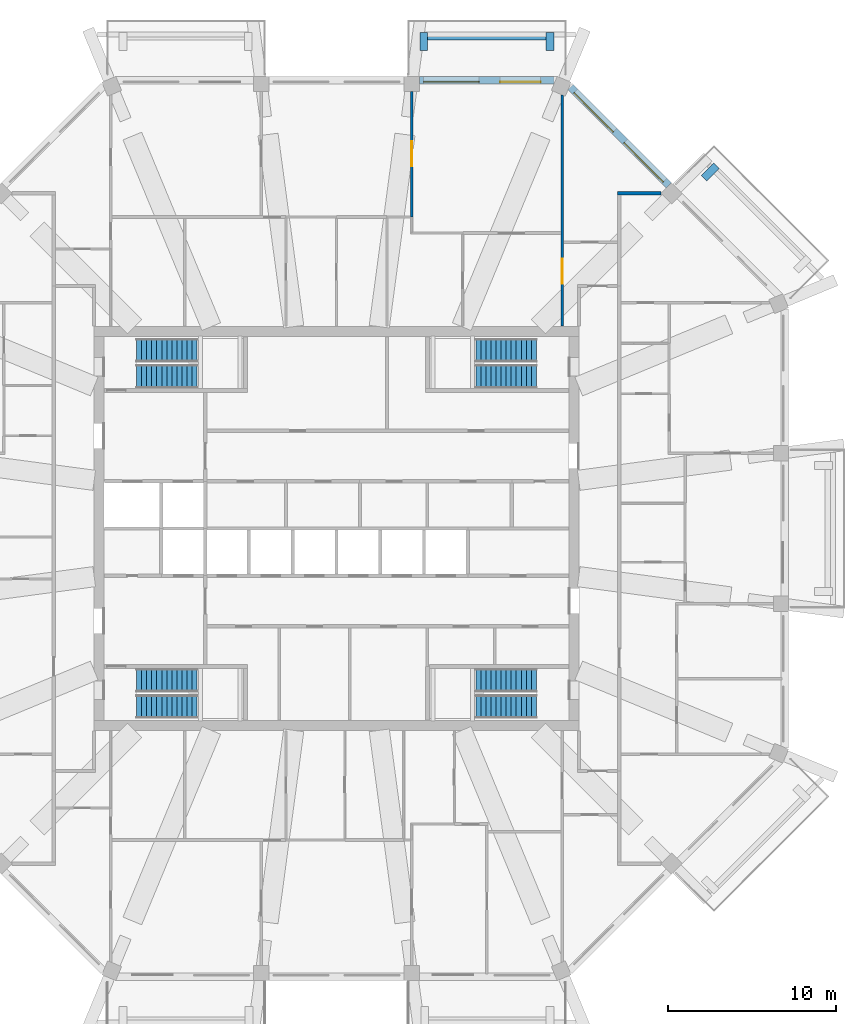
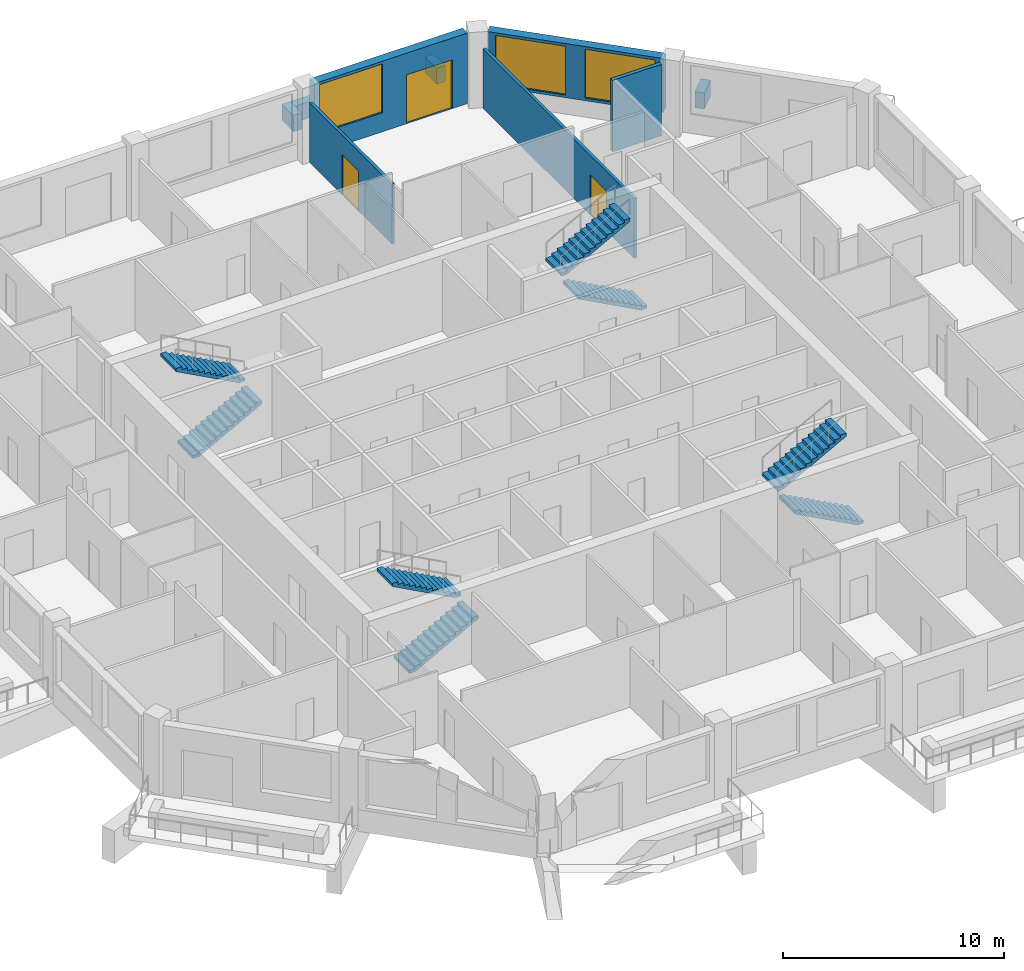
# One storey, part 10 of 12: 9 walls, 8 stair flights, 3 doors, 3 windows, 6 openings, 4 elements without a shape of their own.
"""IFC4 building model written with IfcOpenShell, lengths in metres."""

from ifc_helpers import new_model, si_unit, direction, frame, frame_2d, origin, place, context, subcontext, project, spatial, polyline, rectangle, outline, extrude, material, layer, layer_set, type_object, element, fill, aggregate, save


model = new_model("IFC4")

# Units and contexts
model_context = context("Model", 3, precision=1e-05, world=origin(), true_north=direction((0.0, 1.0)))
body_context = subcontext(model_context, "Body", "Model", "MODEL_VIEW")
ifc_project = project(units=[si_unit("LENGTHUNIT", "METRE"), si_unit("AREAUNIT", "SQUARE_METRE"), si_unit("VOLUMEUNIT", "CUBIC_METRE"), si_unit("PLANEANGLEUNIT", "RADIAN"), si_unit("MASSUNIT", "GRAM", prefix="KILO")], contexts=[model_context])

# Site, building, storey
site_placement = place(None, origin())
site = spatial("IfcSite", under=ifc_project, at=site_placement, CompositionType="ELEMENT")
building_placement = place(site_placement, origin())
building = spatial("IfcBuilding", under=site, at=building_placement, Name="Msitu Wima Residences", CompositionType="ELEMENT")
storey_placement = place(building_placement, frame((0.0, 0.0, 213.89990234375)))
storey = spatial("IfcBuildingStorey", under=building, at=storey_placement, Name="L49", CompositionType="ELEMENT", Elevation=213.89990234375)

# Walls
ifc_material_1 = material(Name="Facing brick")
ifc_layer_1 = layer(ifc_material_1, 0.06494140625, Name="Facing brick")
ifc_material_2 = material(Name="Concrete C40/50", Category="concrete")
ifc_layer_2 = layer(ifc_material_2, 0.156005859375, Name="Concrete C40/50")
ifc_material_3 = material(Name="Waterproofing membrane")
ifc_layer_3 = layer(ifc_material_3, 0.00390625, Name="Waterproofing membrane")
ifc_material_4 = material(Name="Planting soil and planting")
ifc_layer_4 = layer(ifc_material_4, 0.22509765625, Name="Planting soil and planting")
ifc_layer_set_1 = layer_set([ifc_layer_1, ifc_layer_2, ifc_layer_3, ifc_layer_4], Name="Concrete C40/50")
wall_type_1 = type_object("IfcWallType", Name="Balcony planter PLANTER PL450", PredefinedType="USERDEFINED", material=ifc_layer_set_1)
wall_1_placement = place(storey_placement, frame((21.829833984375, 20.804443359375, 0.0), z_axis=(0.0, 0.0, 1.0), x_axis=(0.707106781187, 0.707106781187, 0.0)))
element("IfcWall", 1, at=wall_1_placement, inside=storey, type_object=wall_type_1, Name="Balcony planter NE0 L49", ObjectType="PLANTER", PredefinedType="USERDEFINED", context=body_context, shape_type="SweptSolid", body=[
    extrude(rectangle(XDim=1.050048828125, YDim=0.449951171875, at=frame_2d((0.52490234375, 0.0))), origin(), (0.0, 0.0, 1.0), 0.900146484375),
])
wall_2_placement = place(storey_placement, frame((12.455810546875, 29.22509765625, 0.0), z_axis=(0.0, 0.0, 1.0), x_axis=(-1.0, 0.0, 0.0)))
element("IfcWall", 2, at=wall_2_placement, inside=storey, type_object=wall_type_1, Name="Balcony planter N0 L49", ObjectType="PLANTER", PredefinedType="USERDEFINED", context=body_context, shape_type="SweptSolid", body=[
    extrude(rectangle(XDim=7.037109375, YDim=0.449951171875, at=frame_2d((3.5185546875, 0.0))), origin(), (0.0, 0.0, 1.0), 0.900146484375),
])
for number, where, z_axis, x_axis, name in (
    (3, (12.680908203125, 28.39990234375, 0.0), (0.0, 0.0, 1.0), (0.0, 1.0, 0.0), "Balcony planter N0 L49"),
    (4, (5.193603515625, 28.39990234375, 0.0), (0.0, 0.0, 1.0), (0.0, 1.0, 0.0), "Balcony planter N0 L49"),
):
    element("IfcWall", number, at=place(storey_placement, frame(where, z_axis=z_axis, x_axis=x_axis)), inside=storey, type_object=wall_type_1, Name=name, ObjectType="PLANTER", PredefinedType="USERDEFINED", context=body_context, shape_type="SweptSolid", body=[
        extrude(rectangle(XDim=1.050048828125, YDim=0.449951171875, at=frame_2d((0.52490234375, 0.0))), origin(), (0.0, 0.0, 1.0), 0.900146484375),
    ])

# Wall, openings, windows
ifc_material_5 = material(Name="Brick (red buff mix)", Category="masonry")
ifc_layer_5 = layer(ifc_material_5, 0.449951171875)
ifc_layer_set_2 = layer_set([ifc_layer_5], Name="Brick (red buff mix)")
wall_type_2 = type_object("IfcWallType", Name="Brick infill wall BW450", PredefinedType="SOLIDWALL", material=ifc_layer_set_2)
wall_3_placement = place(storey_placement, frame((19.743896484375, 20.380126953125, 0.900146484375), z_axis=(0.0, 0.0, 1.0), x_axis=(-0.707106781187, 0.707106781187, 0.0)))
wall_3 = element("IfcWall", 5, at=wall_3_placement, inside=storey, type_object=wall_type_2, Name="Brick infill wall L49 NE1", PredefinedType="SOLIDWALL", context=body_context, shape_type="SweptSolid", body=[
    extrude(rectangle(XDim=8.251220703125, YDim=0.449951171875, at=frame_2d((4.12548828125, 0.0))), origin(), (0.0, 0.0, 1.0), 3.0),
])
opening_1_placement = place(wall_3_placement, frame((0.37548828125, 0.0, 0.14990234375)))
opening_1 = element("IfcOpeningElement", 6, at=opening_1_placement, cuts=wall_3, Name="Opening W49.011", PredefinedType="OPENING", context=body_context, shape_type="SweptSolid", body=[
    extrude(rectangle(XDim=3.300048828125, YDim=2.699951171875, at=frame_2d((1.64990234375, 1.35009765625))), frame((0.0, 0.23486328125, 0.0), z_axis=(0.0, -1.0, 0.0), x_axis=(1.0, 0.0, 0.0)), (0.0, 0.0, 1.0), 0.469970703125),
])
opening_2_placement = place(wall_3_placement, frame((4.57568359375, 0.0, 0.14990234375)))
opening_2 = element("IfcOpeningElement", 7, at=opening_2_placement, cuts=wall_3, Name="Opening W49.012", PredefinedType="OPENING", context=body_context, shape_type="SweptSolid", body=[
    extrude(rectangle(XDim=3.300048828125, YDim=2.699951171875, at=frame_2d((1.64990234375, 1.35009765625))), frame((0.0, 0.23486328125, 0.0), z_axis=(0.0, -1.0, 0.0), x_axis=(1.0, 0.0, 0.0)), (0.0, 0.0, 1.0), 0.469970703125),
])
ifc_material_6 = material(Name="Anodised aluminium, bronze finish, clear low-emissivity double glazing", Category="aluminium")
window_type = type_object("IfcWindowType", Name="Window W3300x2700", PartitioningType="DOUBLE_PANEL_VERTICAL", PredefinedType="WINDOW", material=ifc_material_6)
window_1_placement = place(opening_1_placement, origin())
window_1 = element("IfcWindow", 8, at=window_1_placement, inside=storey, type_object=window_type, Name="Window L49 NE1.1", OverallHeight=2.699951171875, OverallWidth=3.300048828125, PartitioningType="SINGLE_PANEL", PredefinedType="WINDOW", context=body_context, shape_type="SweptSolid", body=[
    extrude(rectangle(XDim=3.300048828125, YDim=2.699951171875, at=frame_2d((1.64990234375, 1.35009765625))), frame((0.0, 0.135009765625, 0.0), z_axis=(0.0, -1.0, 0.0), x_axis=(1.0, 0.0, 0.0)), (0.0, 0.0, 1.0), 0.06005859375),
])
fill(opening_1, window_1)
window_2_placement = place(opening_2_placement, origin())
window_2 = element("IfcWindow", 9, at=window_2_placement, inside=storey, type_object=window_type, Name="Window L49 NE1.2", OverallHeight=2.699951171875, OverallWidth=3.300048828125, PartitioningType="SINGLE_PANEL", PredefinedType="WINDOW", context=body_context, shape_type="SweptSolid", body=[
    extrude(rectangle(XDim=3.300048828125, YDim=2.699951171875, at=frame_2d((1.64990234375, 1.35009765625))), frame((0.0, 0.135009765625, 0.0), z_axis=(0.0, -1.0, 0.0), x_axis=(1.0, 0.0, 0.0)), (0.0, 0.0, 1.0), 0.06005859375),
])
fill(opening_2, window_2)

# Wall, openings, door, window
wall_4_placement = place(storey_placement, frame((12.918701171875, 26.625, 0.0), z_axis=(0.0, 0.0, 1.0), x_axis=(-1.0, 0.0, 0.0)))
wall_4 = element("IfcWall", 10, at=wall_4_placement, inside=storey, type_object=wall_type_2, Name="Brick infill wall L49 N0", PredefinedType="SOLIDWALL", context=body_context, shape_type="SweptSolid", body=[
    extrude(rectangle(XDim=8.0, YDim=0.449951171875, at=frame_2d((4.0, 0.0))), origin(), (0.0, 0.0, 1.0), 3.900146484375),
])
opening_3_placement = place(wall_4_placement, frame((0.800048828125, 0.0, 0.0)))
opening_3 = element("IfcOpeningElement", 11, at=opening_3_placement, cuts=wall_4, Name="Opening D49.002", PredefinedType="OPENING", context=body_context, shape_type="SweptSolid", body=[
    extrude(rectangle(XDim=2.39990234375, YDim=2.699951171875, at=frame_2d((1.199951171875, 1.35009765625))), frame((0.0, 0.23486328125, 0.0), z_axis=(0.0, -1.0, 0.0), x_axis=(1.0, 0.0, 0.0)), (0.0, 0.0, 1.0), 0.469970703125),
])
opening_4_placement = place(wall_4_placement, frame((4.4501953125, 0.0, 1.050048828125)))
opening_4 = element("IfcOpeningElement", 12, at=opening_4_placement, cuts=wall_4, Name="Opening W49.006", PredefinedType="OPENING", context=body_context, shape_type="SweptSolid", body=[
    extrude(rectangle(XDim=3.300048828125, YDim=2.699951171875, at=frame_2d((1.64990234375, 1.35009765625))), frame((0.0, 0.23486328125, 0.0), z_axis=(0.0, -1.0, 0.0), x_axis=(1.0, 0.0, 0.0)), (0.0, 0.0, 1.0), 0.469970703125),
])
door_type_1 = type_object("IfcDoorType", Name="Balcony door D2400x2700", OperationType="SLIDING_TO_LEFT", PredefinedType="DOOR", material=ifc_material_6)
door_1_placement = place(opening_3_placement, origin())
door_1 = element("IfcDoor", 13, at=door_1_placement, inside=storey, type_object=door_type_1, Name="Balcony door L49 N0", OperationType="SINGLE_SWING_LEFT", OverallHeight=2.699951171875, OverallWidth=2.39990234375, PredefinedType="DOOR", context=body_context, shape_type="SweptSolid", body=[
    extrude(rectangle(XDim=2.39990234375, YDim=2.699951171875, at=frame_2d((1.199951171875, 1.35009765625))), frame((0.0, 0.1298828125, 0.0), z_axis=(0.0, -1.0, 0.0), x_axis=(1.0, 0.0, 0.0)), (0.0, 0.0, 1.0), 0.050048828125),
])
fill(opening_3, door_1)
window_3_placement = place(opening_4_placement, origin())
window_3 = element("IfcWindow", 14, at=window_3_placement, inside=storey, type_object=window_type, Name="Window L49 N0.2", OverallHeight=2.699951171875, OverallWidth=3.300048828125, PartitioningType="SINGLE_PANEL", PredefinedType="WINDOW", context=body_context, shape_type="SweptSolid", body=[
    extrude(rectangle(XDim=3.300048828125, YDim=2.699951171875, at=frame_2d((1.64990234375, 1.35009765625))), frame((0.0, 0.135009765625, 0.0), z_axis=(0.0, -1.0, 0.0), x_axis=(1.0, 0.0, 0.0)), (0.0, 0.0, 1.0), 0.06005859375),
])
fill(opening_4, window_3)

# Wall, opening, door
ifc_material_7 = material(Name="Plaster")
ifc_layer_6 = layer(ifc_material_7, 0.011962890625, Name="Plaster")
ifc_material_8 = material(Name="Concrete blockwork", Category="masonry")
ifc_layer_7 = layer(ifc_material_8, 0.1259765625, Name="Concrete blockwork")
ifc_layer_8 = layer(ifc_material_7, 0.011962890625, Name="Plaster")
ifc_layer_set_3 = layer_set([ifc_layer_6, ifc_layer_7, ifc_layer_8], Name="Concrete blockwork")
wall_type_3 = type_object("IfcWallType", Name="Partition PW150", PredefinedType="PARTITIONING", material=ifc_layer_set_3)
wall_5_placement = place(storey_placement, frame((4.46875, 18.5, 0.0), z_axis=(0.0, 0.0, 1.0), x_axis=(0.0, 1.0, 0.0)))
wall_5 = element("IfcWall", 15, at=wall_5_placement, inside=storey, type_object=wall_type_3, Name="Partition", PredefinedType="PARTITIONING", context=body_context, shape_type="SweptSolid", body=[
    extrude(rectangle(XDim=7.449951171875, YDim=0.14990234375, at=frame_2d((3.72509765625, 0.0))), origin(), (0.0, 0.0, 1.0), 3.300048828125),
])
opening_5_placement = place(wall_5_placement, frame((3.0, 0.0, 0.0)))
opening_5 = element("IfcOpeningElement", 16, at=opening_5_placement, cuts=wall_5, Name="Opening D49.030", PredefinedType="OPENING", context=body_context, shape_type="SweptSolid", body=[
    extrude(rectangle(XDim=1.5, YDim=2.199951171875, at=frame_2d((0.75, 1.10009765625))), frame((0.0, 0.0849609375, 0.0), z_axis=(0.0, -1.0, 0.0), x_axis=(1.0, 0.0, 0.0)), (0.0, 0.0, 1.0), 0.169921875),
])
ifc_material_9 = material(Name="Timber double door", Category="wood")
door_type_2 = type_object("IfcDoorType", Name="Double door D04 1500x2200", OperationType="DOUBLE_DOOR_SINGLE_SWING", PredefinedType="DOOR", material=ifc_material_9)
door_2_placement = place(opening_5_placement, origin())
door_2 = element("IfcDoor", 17, at=door_2_placement, inside=storey, type_object=door_type_2, Name="Double door", OperationType="DOUBLE_DOOR_SINGLE_SWING", OverallHeight=2.199951171875, OverallWidth=1.5, PredefinedType="DOOR", context=body_context, shape_type="SweptSolid", body=[
    extrude(rectangle(XDim=1.5, YDim=2.199951171875, at=frame_2d((0.75, 1.10009765625))), frame((0.0, 0.02490234375, 0.0), z_axis=(0.0, -1.0, 0.0), x_axis=(1.0, 0.0, 0.0)), (0.0, 0.0, 1.0), 0.050048828125),
])
fill(opening_5, door_2)

wall_6_placement = place(storey_placement, frame((13.406005859375, 12.030029296875, 0.0), z_axis=(0.0, 0.0, 1.0), x_axis=(0.0, 1.0, 0.0)))
wall_6 = element("IfcWall", 18, at=wall_6_placement, inside=storey, type_object=wall_type_3, Name="Partition", PredefinedType="PARTITIONING", context=body_context, shape_type="SweptSolid", body=[
    extrude(rectangle(XDim=13.701171875, YDim=0.14990234375, at=frame_2d((6.8505859375, 0.0))), origin(), (0.0, 0.0, 1.0), 3.300048828125),
])
opening_6_placement = place(wall_6_placement, frame((2.5, 0.0, 0.0)))
opening_6 = element("IfcOpeningElement", 19, at=opening_6_placement, cuts=wall_6, Name="Opening D49.023", PredefinedType="OPENING", context=body_context, shape_type="SweptSolid", body=[
    extrude(rectangle(XDim=1.5, YDim=2.199951171875, at=frame_2d((0.75, 1.10009765625))), frame((0.0, 0.0849609375, 0.0), z_axis=(0.0, -1.0, 0.0), x_axis=(1.0, 0.0, 0.0)), (0.0, 0.0, 1.0), 0.169921875),
])
door_3_placement = place(opening_6_placement, origin())
door_3 = element("IfcDoor", 20, at=door_3_placement, inside=storey, type_object=door_type_2, Name="Double door", OperationType="DOUBLE_DOOR_SINGLE_SWING", OverallHeight=2.199951171875, OverallWidth=1.5, PredefinedType="DOOR", context=body_context, shape_type="SweptSolid", body=[
    extrude(rectangle(XDim=1.5, YDim=2.199951171875, at=frame_2d((0.75, 1.10009765625))), frame((0.0, 0.02490234375, 0.0), z_axis=(0.0, -1.0, 0.0), x_axis=(1.0, 0.0, 0.0)), (0.0, 0.0, 1.0), 0.050048828125),
])
fill(opening_6, door_3)

# Wall
ifc_layer_9 = layer(ifc_material_7, 0.011962890625, Name="Plaster")
ifc_material_10 = material(Name="Dense concrete blockwork", Category="masonry")
ifc_layer_10 = layer(ifc_material_10, 0.176025390625, Name="Dense concrete blockwork")
ifc_layer_11 = layer(ifc_material_7, 0.011962890625, Name="Plaster")
ifc_layer_set_4 = layer_set([ifc_layer_9, ifc_layer_10, ifc_layer_11], Name="Dense concrete blockwork")
wall_type_4 = type_object("IfcWallType", Name="Party wall PW200", PredefinedType="PARTITIONING", material=ifc_layer_set_4)
wall_7_placement = place(storey_placement, frame((16.699951171875, 19.90283203125, 0.0), z_axis=(0.0, 0.0, 1.0), x_axis=(1.0, 0.0, 0.0)))
element("IfcWall", 21, at=wall_7_placement, inside=storey, type_object=wall_type_4, Name="Party wall", PredefinedType="PARTITIONING", context=body_context, shape_type="SweptSolid", body=[
    extrude(rectangle(XDim=2.566650390625, YDim=0.199951171875, at=frame_2d((1.283203125, 0.0))), origin(), (0.0, 0.0, 1.0), 3.9501953125),
])

# Stair, stair flights
stair_type = type_object("IfcStairType", Name="Exit stair ES1615-140", PredefinedType="HALF_TURN_STAIR", material=ifc_material_2)
stair_1_placement = place(storey_placement, origin())
stair_1 = element("IfcStair", 22, at=stair_1_placement, inside=storey, type_object=stair_type, Name="Exit stair 1", PredefinedType="HALF_TURN_STAIR")
stair_flight_type = type_object("IfcStairFlightType", Name="Exit stair flight ES1615-140", PredefinedType="STRAIGHT", material=ifc_material_2)
stair_flight_1_placement = place(storey_placement, frame((-11.875, 9.02490234375, 0.0), z_axis=(0.0, 0.0, 1.0), x_axis=(1.0, 0.0, 0.0)))
stair_flight_1 = element("IfcStairFlight", 23, at=stair_flight_1_placement, type_object=stair_flight_type, Name="S1 flight 1", NumberOfRisers=13, NumberOfTreads=12, PredefinedType="STRAIGHT", RiserHeight=0.161538462, TreadLength=0.3, context=body_context, shape_type="SweptSolid", body=[
    extrude(outline(polyline([(0.0, 0.0), (0.0, 0.16162109375), (0.300048828125, 0.16162109375), (0.300048828125, 0.322998046875), (0.60009765625, 0.322998046875), (0.60009765625, 0.484619140625), (0.89990234375, 0.484619140625), (0.89990234375, 0.646240234375), (1.199951171875, 0.646240234375), (1.199951171875, 0.8076171875), (1.5, 0.8076171875), (1.5, 0.96923828125), (1.800048828125, 0.96923828125), (1.800048828125, 1.130859375), (2.10009765625, 1.130859375), (2.10009765625, 1.292236328125), (2.39990234375, 1.292236328125), (2.39990234375, 1.453857421875), (2.699951171875, 1.453857421875), (2.699951171875, 1.615478515625), (3.0, 1.615478515625), (3.0, 1.77685546875), (3.300048828125, 1.77685546875), (3.300048828125, 1.9384765625), (3.60009765625, 1.9384765625), (3.60009765625, 2.10009765625), (3.60009765625, 1.768310546875), (0.316162109375, 0.0), (0.0, 0.0)])), frame((0.0, 0.699951171875, 0.0), z_axis=(0.0, -1.0, 0.0), x_axis=(1.0, 0.0, 0.0)), (0.0, 0.0, 1.0), 1.39990234375),
])
stair_flight_2_placement = place(storey_placement, frame((-8.27490234375, 10.574951171875, 2.10009765625), z_axis=(0.0, 0.0, 1.0), x_axis=(-1.0, 0.0, 0.0)))
stair_flight_2 = element("IfcStairFlight", 24, at=stair_flight_2_placement, type_object=stair_flight_type, Name="S1 flight 2", NumberOfRisers=13, NumberOfTreads=12, PredefinedType="STRAIGHT", RiserHeight=0.161538462, TreadLength=0.3, context=body_context, shape_type="SweptSolid", body=[
    extrude(outline(polyline([(0.0, 0.0), (0.0, 0.16162109375), (0.300048828125, 0.16162109375), (0.300048828125, 0.322998046875), (0.60009765625, 0.322998046875), (0.60009765625, 0.484619140625), (0.89990234375, 0.484619140625), (0.89990234375, 0.646240234375), (1.199951171875, 0.646240234375), (1.199951171875, 0.8076171875), (1.5, 0.8076171875), (1.5, 0.96923828125), (1.800048828125, 0.96923828125), (1.800048828125, 1.130859375), (2.10009765625, 1.130859375), (2.10009765625, 1.292236328125), (2.39990234375, 1.292236328125), (2.39990234375, 1.453857421875), (2.699951171875, 1.453857421875), (2.699951171875, 1.615478515625), (3.0, 1.615478515625), (3.0, 1.77685546875), (3.300048828125, 1.77685546875), (3.300048828125, 1.9384765625), (3.60009765625, 1.9384765625), (3.60009765625, 2.10009765625), (3.60009765625, 1.768310546875), (0.316162109375, 0.0), (0.0, 0.0)])), frame((0.0, 0.699951171875, 0.0), z_axis=(0.0, -1.0, 0.0), x_axis=(1.0, 0.0, 0.0)), (0.0, 0.0, 1.0), 1.39990234375),
])
aggregate(stair_1, [stair_flight_1, stair_flight_2])

stair_2_placement = place(storey_placement, origin())
stair_2 = element("IfcStair", 25, at=stair_2_placement, inside=storey, type_object=stair_type, Name="Exit stair 2", PredefinedType="HALF_TURN_STAIR")
stair_flight_3_placement = place(storey_placement, frame((-11.875, -10.574951171875, 0.0), z_axis=(0.0, 0.0, 1.0), x_axis=(1.0, 0.0, 0.0)))
stair_flight_3 = element("IfcStairFlight", 26, at=stair_flight_3_placement, type_object=stair_flight_type, Name="S2 flight 1", NumberOfRisers=13, NumberOfTreads=12, PredefinedType="STRAIGHT", RiserHeight=0.161538462, TreadLength=0.3, context=body_context, shape_type="SweptSolid", body=[
    extrude(outline(polyline([(0.0, 0.0), (0.0, 0.16162109375), (0.300048828125, 0.16162109375), (0.300048828125, 0.322998046875), (0.60009765625, 0.322998046875), (0.60009765625, 0.484619140625), (0.89990234375, 0.484619140625), (0.89990234375, 0.646240234375), (1.199951171875, 0.646240234375), (1.199951171875, 0.8076171875), (1.5, 0.8076171875), (1.5, 0.96923828125), (1.800048828125, 0.96923828125), (1.800048828125, 1.130859375), (2.10009765625, 1.130859375), (2.10009765625, 1.292236328125), (2.39990234375, 1.292236328125), (2.39990234375, 1.453857421875), (2.699951171875, 1.453857421875), (2.699951171875, 1.615478515625), (3.0, 1.615478515625), (3.0, 1.77685546875), (3.300048828125, 1.77685546875), (3.300048828125, 1.9384765625), (3.60009765625, 1.9384765625), (3.60009765625, 2.10009765625), (3.60009765625, 1.768310546875), (0.316162109375, 0.0), (0.0, 0.0)])), frame((0.0, 0.699951171875, 0.0), z_axis=(0.0, -1.0, 0.0), x_axis=(1.0, 0.0, 0.0)), (0.0, 0.0, 1.0), 1.39990234375),
])
stair_flight_4_placement = place(storey_placement, frame((-8.27490234375, -9.02490234375, 2.10009765625), z_axis=(0.0, 0.0, 1.0), x_axis=(-1.0, 0.0, 0.0)))
stair_flight_4 = element("IfcStairFlight", 27, at=stair_flight_4_placement, type_object=stair_flight_type, Name="S2 flight 2", NumberOfRisers=13, NumberOfTreads=12, PredefinedType="STRAIGHT", RiserHeight=0.161538462, TreadLength=0.3, context=body_context, shape_type="SweptSolid", body=[
    extrude(outline(polyline([(0.0, 0.0), (0.0, 0.16162109375), (0.300048828125, 0.16162109375), (0.300048828125, 0.322998046875), (0.60009765625, 0.322998046875), (0.60009765625, 0.484619140625), (0.89990234375, 0.484619140625), (0.89990234375, 0.646240234375), (1.199951171875, 0.646240234375), (1.199951171875, 0.8076171875), (1.5, 0.8076171875), (1.5, 0.96923828125), (1.800048828125, 0.96923828125), (1.800048828125, 1.130859375), (2.10009765625, 1.130859375), (2.10009765625, 1.292236328125), (2.39990234375, 1.292236328125), (2.39990234375, 1.453857421875), (2.699951171875, 1.453857421875), (2.699951171875, 1.615478515625), (3.0, 1.615478515625), (3.0, 1.77685546875), (3.300048828125, 1.77685546875), (3.300048828125, 1.9384765625), (3.60009765625, 1.9384765625), (3.60009765625, 2.10009765625), (3.60009765625, 1.768310546875), (0.316162109375, 0.0), (0.0, 0.0)])), frame((0.0, 0.699951171875, 0.0), z_axis=(0.0, -1.0, 0.0), x_axis=(1.0, 0.0, 0.0)), (0.0, 0.0, 1.0), 1.39990234375),
])
aggregate(stair_2, [stair_flight_3, stair_flight_4])

stair_3_placement = place(storey_placement, origin())
stair_3 = element("IfcStair", 28, at=stair_3_placement, inside=storey, type_object=stair_type, Name="Exit stair 3", PredefinedType="HALF_TURN_STAIR")
stair_flight_5_placement = place(storey_placement, frame((11.875, 9.02490234375, 0.0), z_axis=(0.0, 0.0, 1.0), x_axis=(-1.0, 0.0, 0.0)))
stair_flight_5 = element("IfcStairFlight", 29, at=stair_flight_5_placement, type_object=stair_flight_type, Name="S3 flight 1", NumberOfRisers=13, NumberOfTreads=12, PredefinedType="STRAIGHT", RiserHeight=0.161538462, TreadLength=0.3, context=body_context, shape_type="SweptSolid", body=[
    extrude(outline(polyline([(0.0, 0.0), (0.0, 0.16162109375), (0.300048828125, 0.16162109375), (0.300048828125, 0.322998046875), (0.60009765625, 0.322998046875), (0.60009765625, 0.484619140625), (0.89990234375, 0.484619140625), (0.89990234375, 0.646240234375), (1.199951171875, 0.646240234375), (1.199951171875, 0.8076171875), (1.5, 0.8076171875), (1.5, 0.96923828125), (1.800048828125, 0.96923828125), (1.800048828125, 1.130859375), (2.10009765625, 1.130859375), (2.10009765625, 1.292236328125), (2.39990234375, 1.292236328125), (2.39990234375, 1.453857421875), (2.699951171875, 1.453857421875), (2.699951171875, 1.615478515625), (3.0, 1.615478515625), (3.0, 1.77685546875), (3.300048828125, 1.77685546875), (3.300048828125, 1.9384765625), (3.60009765625, 1.9384765625), (3.60009765625, 2.10009765625), (3.60009765625, 1.768310546875), (0.316162109375, 0.0), (0.0, 0.0)])), frame((0.0, 0.699951171875, 0.0), z_axis=(0.0, -1.0, 0.0), x_axis=(1.0, 0.0, 0.0)), (0.0, 0.0, 1.0), 1.39990234375),
])
stair_flight_6_placement = place(storey_placement, frame((8.27490234375, 10.574951171875, 2.10009765625), z_axis=(0.0, 0.0, 1.0), x_axis=(1.0, 0.0, 0.0)))
stair_flight_6 = element("IfcStairFlight", 30, at=stair_flight_6_placement, type_object=stair_flight_type, Name="S3 flight 2", NumberOfRisers=13, NumberOfTreads=12, PredefinedType="STRAIGHT", RiserHeight=0.161538462, TreadLength=0.3, context=body_context, shape_type="SweptSolid", body=[
    extrude(outline(polyline([(0.0, 0.0), (0.0, 0.16162109375), (0.300048828125, 0.16162109375), (0.300048828125, 0.322998046875), (0.60009765625, 0.322998046875), (0.60009765625, 0.484619140625), (0.89990234375, 0.484619140625), (0.89990234375, 0.646240234375), (1.199951171875, 0.646240234375), (1.199951171875, 0.8076171875), (1.5, 0.8076171875), (1.5, 0.96923828125), (1.800048828125, 0.96923828125), (1.800048828125, 1.130859375), (2.10009765625, 1.130859375), (2.10009765625, 1.292236328125), (2.39990234375, 1.292236328125), (2.39990234375, 1.453857421875), (2.699951171875, 1.453857421875), (2.699951171875, 1.615478515625), (3.0, 1.615478515625), (3.0, 1.77685546875), (3.300048828125, 1.77685546875), (3.300048828125, 1.9384765625), (3.60009765625, 1.9384765625), (3.60009765625, 2.10009765625), (3.60009765625, 1.768310546875), (0.316162109375, 0.0), (0.0, 0.0)])), frame((0.0, 0.699951171875, 0.0), z_axis=(0.0, -1.0, 0.0), x_axis=(1.0, 0.0, 0.0)), (0.0, 0.0, 1.0), 1.39990234375),
])
aggregate(stair_3, [stair_flight_5, stair_flight_6])

stair_4_placement = place(storey_placement, origin())
stair_4 = element("IfcStair", 31, at=stair_4_placement, inside=storey, type_object=stair_type, Name="Exit stair 4", PredefinedType="HALF_TURN_STAIR")
stair_flight_7_placement = place(storey_placement, frame((11.875, -10.574951171875, 0.0), z_axis=(0.0, 0.0, 1.0), x_axis=(-1.0, 0.0, 0.0)))
stair_flight_7 = element("IfcStairFlight", 32, at=stair_flight_7_placement, type_object=stair_flight_type, Name="S4 flight 1", NumberOfRisers=13, NumberOfTreads=12, PredefinedType="STRAIGHT", RiserHeight=0.161538462, TreadLength=0.3, context=body_context, shape_type="SweptSolid", body=[
    extrude(outline(polyline([(0.0, 0.0), (0.0, 0.16162109375), (0.300048828125, 0.16162109375), (0.300048828125, 0.322998046875), (0.60009765625, 0.322998046875), (0.60009765625, 0.484619140625), (0.89990234375, 0.484619140625), (0.89990234375, 0.646240234375), (1.199951171875, 0.646240234375), (1.199951171875, 0.8076171875), (1.5, 0.8076171875), (1.5, 0.96923828125), (1.800048828125, 0.96923828125), (1.800048828125, 1.130859375), (2.10009765625, 1.130859375), (2.10009765625, 1.292236328125), (2.39990234375, 1.292236328125), (2.39990234375, 1.453857421875), (2.699951171875, 1.453857421875), (2.699951171875, 1.615478515625), (3.0, 1.615478515625), (3.0, 1.77685546875), (3.300048828125, 1.77685546875), (3.300048828125, 1.9384765625), (3.60009765625, 1.9384765625), (3.60009765625, 2.10009765625), (3.60009765625, 1.768310546875), (0.316162109375, 0.0), (0.0, 0.0)])), frame((0.0, 0.699951171875, 0.0), z_axis=(0.0, -1.0, 0.0), x_axis=(1.0, 0.0, 0.0)), (0.0, 0.0, 1.0), 1.39990234375),
])
stair_flight_8_placement = place(storey_placement, frame((8.27490234375, -9.02490234375, 2.10009765625), z_axis=(0.0, 0.0, 1.0), x_axis=(1.0, 0.0, 0.0)))
stair_flight_8 = element("IfcStairFlight", 33, at=stair_flight_8_placement, type_object=stair_flight_type, Name="S4 flight 2", NumberOfRisers=13, NumberOfTreads=12, PredefinedType="STRAIGHT", RiserHeight=0.161538462, TreadLength=0.3, context=body_context, shape_type="SweptSolid", body=[
    extrude(outline(polyline([(0.0, 0.0), (0.0, 0.16162109375), (0.300048828125, 0.16162109375), (0.300048828125, 0.322998046875), (0.60009765625, 0.322998046875), (0.60009765625, 0.484619140625), (0.89990234375, 0.484619140625), (0.89990234375, 0.646240234375), (1.199951171875, 0.646240234375), (1.199951171875, 0.8076171875), (1.5, 0.8076171875), (1.5, 0.96923828125), (1.800048828125, 0.96923828125), (1.800048828125, 1.130859375), (2.10009765625, 1.130859375), (2.10009765625, 1.292236328125), (2.39990234375, 1.292236328125), (2.39990234375, 1.453857421875), (2.699951171875, 1.453857421875), (2.699951171875, 1.615478515625), (3.0, 1.615478515625), (3.0, 1.77685546875), (3.300048828125, 1.77685546875), (3.300048828125, 1.9384765625), (3.60009765625, 1.9384765625), (3.60009765625, 2.10009765625), (3.60009765625, 1.768310546875), (0.316162109375, 0.0), (0.0, 0.0)])), frame((0.0, 0.699951171875, 0.0), z_axis=(0.0, -1.0, 0.0), x_axis=(1.0, 0.0, 0.0)), (0.0, 0.0, 1.0), 1.39990234375),
])
aggregate(stair_4, [stair_flight_7, stair_flight_8])

save(model, "model.ifc")
